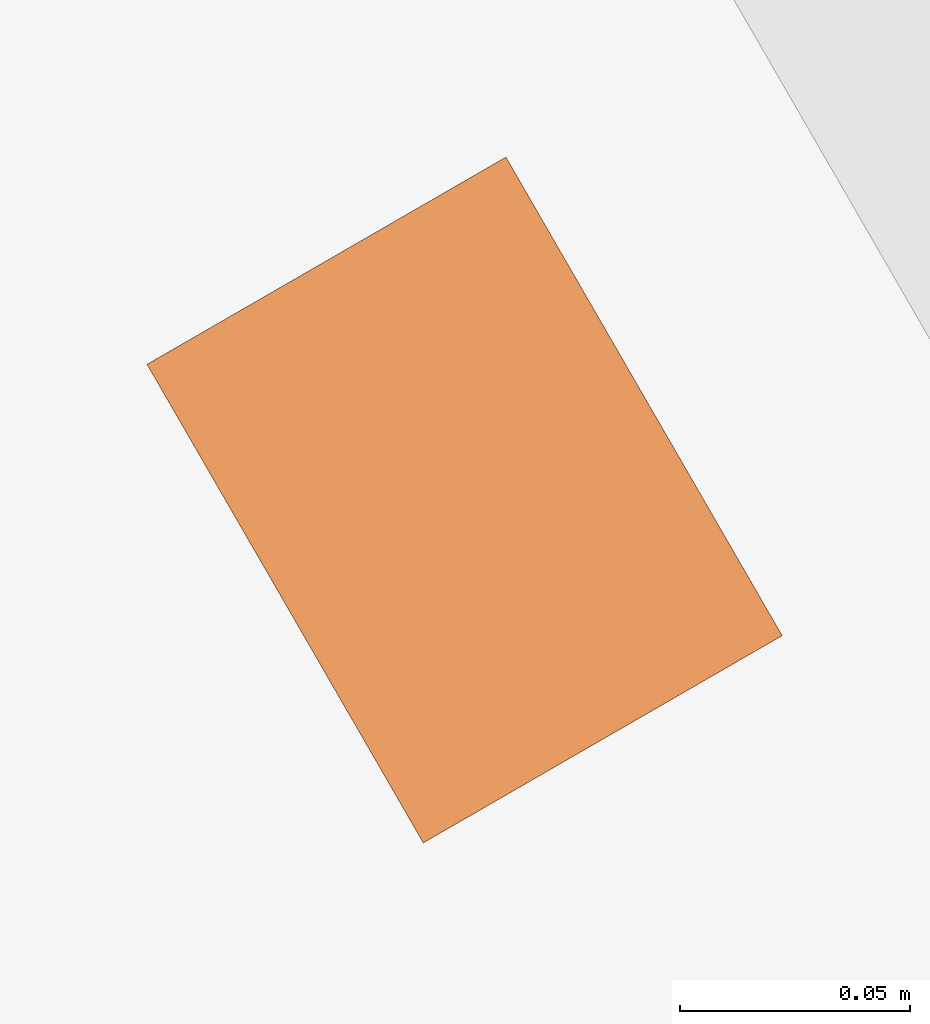
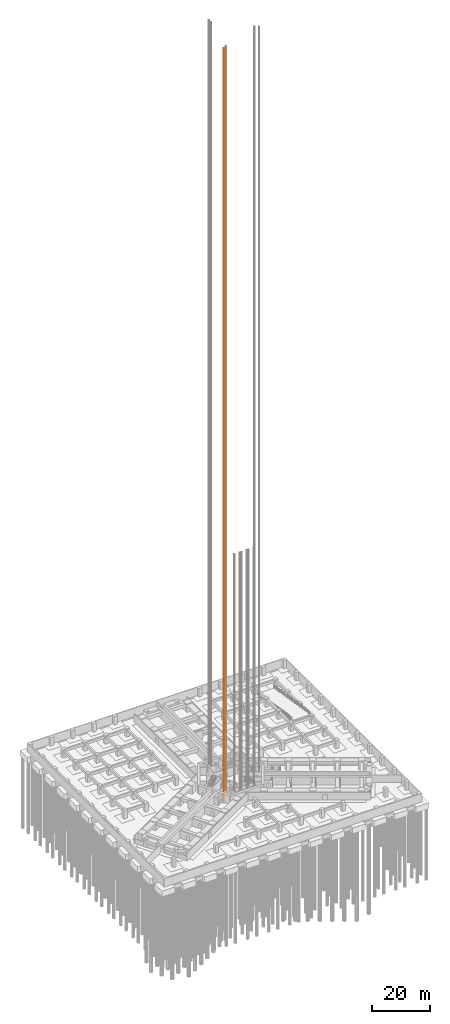
# One storey, part 62 of 73: 1 proxy.
"""IFC4 building model written with IfcOpenShell, lengths in metres."""

from ifc_helpers import new_model, si_unit, direction, frame, origin, origin_2d, place, context, subcontext, project, spatial, rectangle, extrude, material, type_object, element, save


model = new_model("IFC4")

# Units and contexts
model_context = context("Model", 3, precision=1e-05, world=origin(), true_north=direction((0.0, 1.0)))
body_context = subcontext(model_context, "Body", "Model", "MODEL_VIEW")
ifc_project = project(units=[si_unit("LENGTHUNIT", "METRE"), si_unit("AREAUNIT", "SQUARE_METRE"), si_unit("VOLUMEUNIT", "CUBIC_METRE"), si_unit("PLANEANGLEUNIT", "RADIAN"), si_unit("MASSUNIT", "GRAM", prefix="KILO")], contexts=[model_context])

# Site, building, storey
site_placement = place(None, origin())
site = spatial("IfcSite", under=ifc_project, at=site_placement, CompositionType="ELEMENT")
building_placement = place(site_placement, origin())
building = spatial("IfcBuilding", under=site, at=building_placement, Name="Impinga Residences", CompositionType="ELEMENT")
storey_placement = place(building_placement, frame((0.0, 0.0, -10.5)))
storey = spatial("IfcBuildingStorey", under=building, at=storey_placement, Name="B3", CompositionType="ELEMENT", Elevation=-10.5)

# Proxy
ifc_material = material(Name="Steel lift guide rail, galvanised", Category="steel")
building_element_proxy_type = type_object("IfcBuildingElementProxyType", Name="LGR lift guide rail", PredefinedType="USERDEFINED", material=ifc_material)
proxy_placement = place(storey_placement, frame((-7.04248046875, -7.47216796875, -1.60009765625), z_axis=(0.0, 0.0, 1.0), x_axis=(-0.866025403784, -0.5, 0.0)))
element("IfcBuildingElementProxy", 1, at=proxy_placement, inside=storey, type_object=building_element_proxy_type, Name="Guide rail F2 2", ObjectType="Lift guide rail", PredefinedType="USERDEFINED", context=body_context, shape_type="SweptSolid", body=[
    extrude(rectangle(XDim=0.090087890625, YDim=0.1201171875, at=origin_2d()), origin(), (0.0, 0.0, 1.0), 316.25),
])

save(model, "model.ifc")
